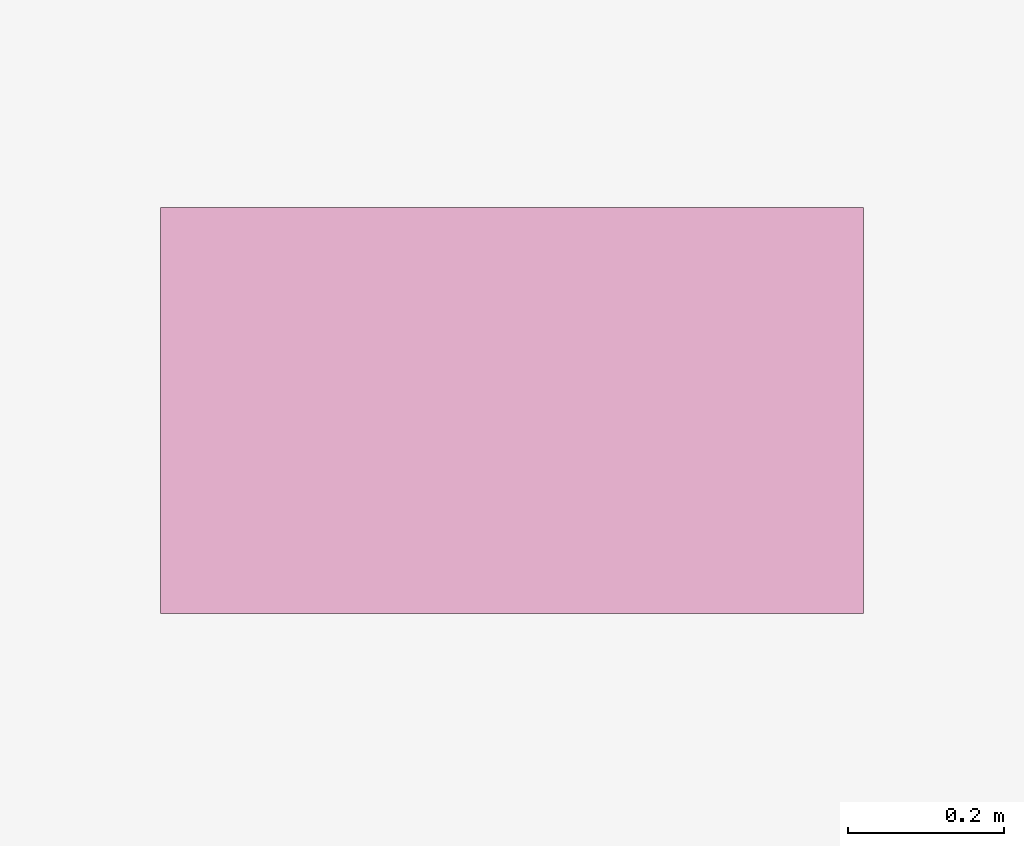
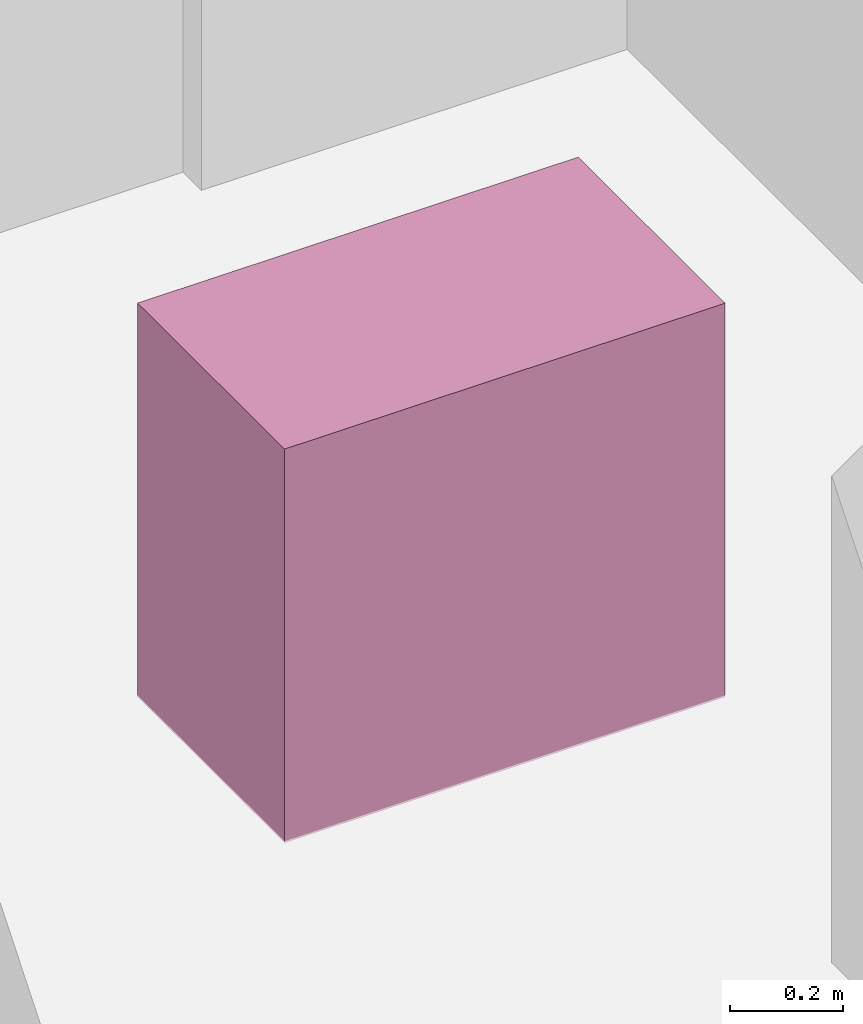
# One storey, part 30 of 30: 1 furnishing.
"""IFC4 building model written with IfcOpenShell, lengths in metres."""

from ifc_helpers import new_model, si_unit, direction, frame, origin, origin_2d, place, context, subcontext, project, spatial, rectangle, extrude, material, type_object, element, save


model = new_model("IFC4")

# Units and contexts
model_context = context("Model", 3, precision=1e-05, world=origin(), true_north=direction((0.0, 1.0)))
body_context = subcontext(model_context, "Body", "Model", "MODEL_VIEW")
ifc_project = project(units=[si_unit("LENGTHUNIT", "METRE"), si_unit("AREAUNIT", "SQUARE_METRE"), si_unit("VOLUMEUNIT", "CUBIC_METRE"), si_unit("PLANEANGLEUNIT", "RADIAN"), si_unit("MASSUNIT", "GRAM", prefix="KILO")], contexts=[model_context])

# Site, building, storey
site_placement = place(None, origin())
site = spatial("IfcSite", under=ifc_project, at=site_placement, CompositionType="ELEMENT")
building_placement = place(site_placement, origin())
building = spatial("IfcBuilding", under=site, at=building_placement, Name="Vorneva Point Tower", CompositionType="ELEMENT")
storey_placement = place(building_placement, frame((0.0, 0.0, 262.64990234375)))
storey = spatial("IfcBuildingStorey", under=building, at=storey_placement, Name="L71", CompositionType="ELEMENT", Elevation=262.64990234375)

# Furnishing
ifc_material = material(Name="Vitreous china and granite top", Category="masonry")
furniture_type = type_object("IfcFurnitureType", Name="FUR-VAN-900", AssemblyPlace="NOTDEFINED", PredefinedType="NOTDEFINED", material=ifc_material)
furnishing_placement = place(storey_placement, frame((34.85009765625, 32.1201171875, -0.0048828125), z_axis=(0.0, 0.0, 1.0), x_axis=(1.0, 0.0, 0.0)))
element("IfcFurnishingElement", 1, at=furnishing_placement, inside=storey, type_object=furniture_type, Name="L71 Public Male WC Vanity Unit", ObjectType="L71 Public Male WC Vanity Unit", context=body_context, shape_type="SweptSolid", body=[
    extrude(rectangle(XDim=0.89990234375, YDim=0.52001953125, at=origin_2d()), origin(), (0.0, 0.0, 1.0), 0.85009765625),
])

save(model, "model.ifc")
